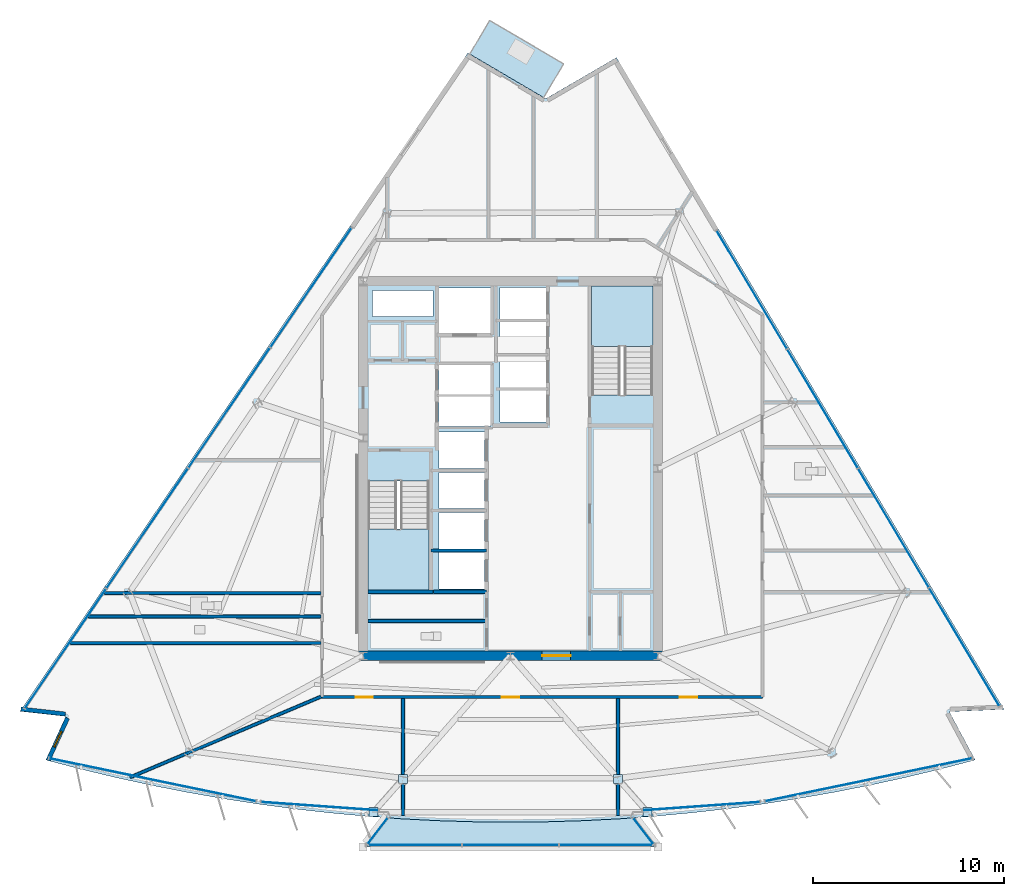
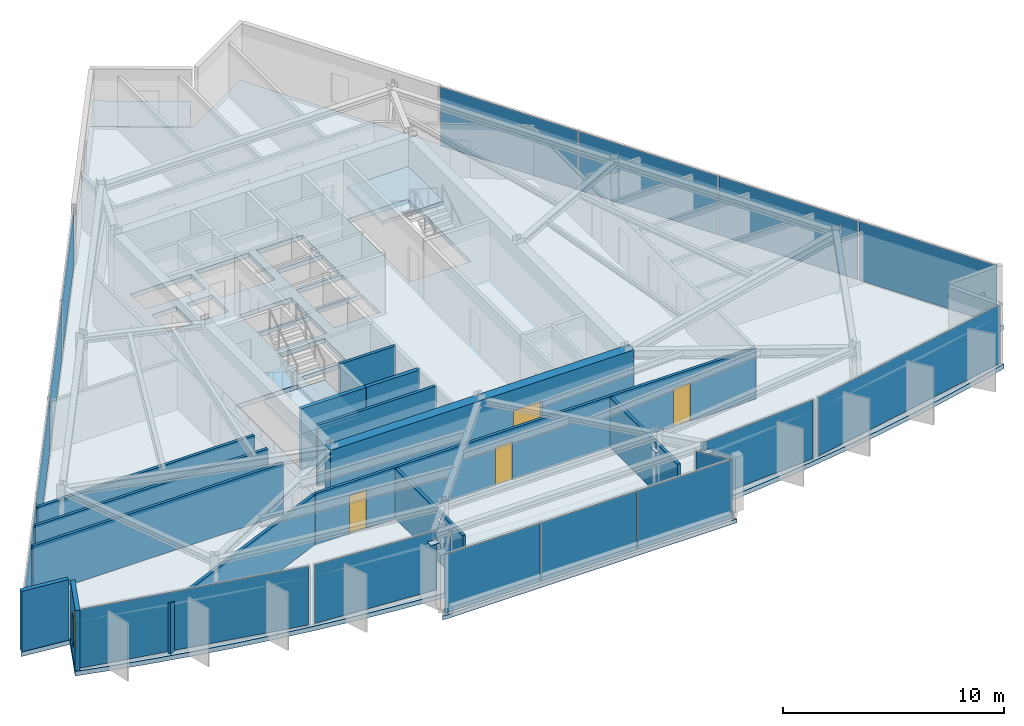
# One storey, part 7 of 14: 21 plates, 14 walls, 5 slabs, 4 doors, 1 window, 5 openings, 11 elements without a shape of their own.
"""IFC4 building model written with IfcOpenShell, lengths in metres."""

from ifc_helpers import new_model, si_unit, direction, frame, frame_2d, origin, origin_2d, place, context, subcontext, project, spatial, polyline, rectangle, outline, extrude, material, layer, layer_set, type_object, element, fill, aggregate, save


model = new_model("IFC4")

# Units and contexts
model_context = context("Model", 3, precision=1e-05, world=origin(), true_north=direction((0.0, 1.0)))
body_context = subcontext(model_context, "Body", "Model", "MODEL_VIEW")
ifc_project = project(units=[si_unit("LENGTHUNIT", "METRE"), si_unit("AREAUNIT", "SQUARE_METRE"), si_unit("VOLUMEUNIT", "CUBIC_METRE"), si_unit("PLANEANGLEUNIT", "RADIAN"), si_unit("MASSUNIT", "GRAM", prefix="KILO")], contexts=[model_context])

# Site, building, storey
site_placement = place(None, origin())
site = spatial("IfcSite", under=ifc_project, at=site_placement, CompositionType="ELEMENT")
building_placement = place(site_placement, origin())
building = spatial("IfcBuilding", under=site, at=building_placement, Name="Savorim Split Tower", CompositionType="ELEMENT")
storey_placement = place(building_placement, frame((0.0, 0.0, 205.5)))
storey = spatial("IfcBuildingStorey", under=building, at=storey_placement, Name="L54", CompositionType="ELEMENT", Elevation=205.5)

# Curtain wall, plate
ifc_material_1 = material(Name="Dark Ceramic-Fritted Insulated Glass", Category="glass")
curtain_wall_type_1 = type_object("IfcCurtainWallType", Name="CW-TWR-FRIT-B", PredefinedType="NOTDEFINED", material=ifc_material_1)
curtain_wall_1_placement = place(storey_placement, origin())
curtain_wall_1 = element("IfcCurtainWall", 1, at=curtain_wall_1_placement, inside=storey, type_object=curtain_wall_type_1, Name="L54 Curtain Wall CW-L54-SF1A", PredefinedType="NOTDEFINED")
ifc_layer_1 = layer(ifc_material_1, 0.02587890625)
ifc_layer_set_1 = layer_set([ifc_layer_1], Name="CWP-FRITB-26")
plate_type_1 = type_object("IfcPlateType", Name="CWP-FRITB-26", PredefinedType="CURTAIN_PANEL", material=ifc_layer_set_1)
plate_1_placement = place(storey_placement, frame((-18.731201171875, -15.885009765625, 0.050048828125), z_axis=(0.0, 0.0, 1.0), x_axis=(0.979135083641, -0.203210452448, 0.0)))
plate_1 = element("IfcPlate", 2, at=plate_1_placement, type_object=plate_type_1, Name="CW-03 panel 1.1", PredefinedType="CURTAIN_PANEL", context=body_context, shape_type="SweptSolid", body=[
    extrude(rectangle(XDim=11.026611328125, YDim=0.02587890625, at=origin_2d()), origin(), (0.0, 0.0, 1.0), 3.25),
])
aggregate(curtain_wall_1, [plate_1])

curtain_wall_2_placement = place(storey_placement, origin())
curtain_wall_2 = element("IfcCurtainWall", 3, at=curtain_wall_2_placement, inside=storey, type_object=curtain_wall_type_1, Name="L54 Curtain Wall CW-L54-SF2A", PredefinedType="NOTDEFINED")
plate_2_placement = place(storey_placement, frame((-9.98095703125, -17.26611328125, 0.050048828125), z_axis=(0.0, 0.0, 1.0), x_axis=(0.99743684751, -0.071552325109, 0.0)))
plate_2 = element("IfcPlate", 4, at=plate_2_placement, type_object=plate_type_1, Name="CW-03 panel 1.1", PredefinedType="CURTAIN_PANEL", context=body_context, shape_type="SweptSolid", body=[
    extrude(rectangle(XDim=6.118896484375, YDim=0.02587890625, at=origin_2d()), origin(), (0.0, 0.0, 1.0), 3.25),
])
aggregate(curtain_wall_2, [plate_2])

curtain_wall_3_placement = place(storey_placement, origin())
curtain_wall_3 = element("IfcCurtainWall", 5, at=curtain_wall_3_placement, inside=storey, type_object=curtain_wall_type_1, Name="L54 Curtain Wall CW-L54-SF3A", PredefinedType="NOTDEFINED")
plate_3_placement = place(storey_placement, frame((9.98095703125, -17.26611328125, 0.050048828125), z_axis=(0.0, 0.0, 1.0), x_axis=(0.99743684751, 0.071552325109, 0.0)))
plate_3 = element("IfcPlate", 6, at=plate_3_placement, type_object=plate_type_1, Name="CW-03 panel 1.1", PredefinedType="CURTAIN_PANEL", context=body_context, shape_type="SweptSolid", body=[
    extrude(rectangle(XDim=6.118896484375, YDim=0.02587890625, at=origin_2d()), origin(), (0.0, 0.0, 1.0), 3.25),
])
aggregate(curtain_wall_3, [plate_3])

curtain_wall_4_placement = place(storey_placement, origin())
curtain_wall_4 = element("IfcCurtainWall", 7, at=curtain_wall_4_placement, inside=storey, type_object=curtain_wall_type_1, Name="L54 Curtain Wall CW-L54-SF4A", PredefinedType="NOTDEFINED")
plate_4_placement = place(storey_placement, frame((18.731201171875, -15.885009765625, 0.050048828125), z_axis=(0.0, 0.0, 1.0), x_axis=(0.979135083641, 0.203210452448, 0.0)))
plate_4 = element("IfcPlate", 8, at=plate_4_placement, type_object=plate_type_1, Name="CW-03 panel 1.1", PredefinedType="CURTAIN_PANEL", context=body_context, shape_type="SweptSolid", body=[
    extrude(rectangle(XDim=11.026611328125, YDim=0.02587890625, at=origin_2d()), origin(), (0.0, 0.0, 1.0), 3.25),
])
aggregate(curtain_wall_4, [plate_4])

# Curtain wall, plates
curtain_wall_5_placement = place(storey_placement, origin())
curtain_wall_5 = element("IfcCurtainWall", 9, at=curtain_wall_5_placement, inside=storey, type_object=curtain_wall_type_1, Name="L54 Curtain Wall CW-L54-EAST", PredefinedType="NOTDEFINED")
plate_5_placement = place(storey_placement, frame((23.739013671875, -8.941162109375, 0.050048828125), z_axis=(0.0, 0.0, 1.0), x_axis=(-0.511092175308, 0.859525909056, 0.0)))
plate_5 = element("IfcPlate", 10, at=plate_5_placement, type_object=plate_type_1, Name="CW-03 panel 1.1", PredefinedType="CURTAIN_PANEL", context=body_context, shape_type="SweptSolid", body=[
    extrude(rectangle(XDim=7.167724609375, YDim=0.02587890625, at=origin_2d()), origin(), (0.0, 0.0, 1.0), 3.25),
])
plate_6_placement = place(storey_placement, frame((20.037353515625, -2.7158203125, 0.050048828125), z_axis=(0.0, 0.0, 1.0), x_axis=(-0.511092175308, 0.859525909056, 0.0)))
plate_6 = element("IfcPlate", 11, at=plate_6_placement, type_object=plate_type_1, Name="CW-03 panel 2.1", PredefinedType="CURTAIN_PANEL", context=body_context, shape_type="SweptSolid", body=[
    extrude(rectangle(XDim=7.19775390625, YDim=0.02587890625, at=origin_2d()), origin(), (0.0, 0.0, 1.0), 3.25),
])
plate_7_placement = place(storey_placement, frame((16.328125, 3.522216796875, 0.050048828125), z_axis=(0.0, 0.0, 1.0), x_axis=(-0.511092175308, 0.859525909056, 0.0)))
plate_7 = element("IfcPlate", 12, at=plate_7_placement, type_object=plate_type_1, Name="CW-03 panel 3.1", PredefinedType="CURTAIN_PANEL", context=body_context, shape_type="SweptSolid", body=[
    extrude(rectangle(XDim=7.19775390625, YDim=0.02587890625, at=origin_2d()), origin(), (0.0, 0.0, 1.0), 3.25),
])
plate_8_placement = place(storey_placement, frame((12.626220703125, 9.74755859375, 0.050048828125), z_axis=(0.0, 0.0, 1.0), x_axis=(-0.511092175308, 0.859525909056, 0.0)))
plate_8 = element("IfcPlate", 13, at=plate_8_placement, type_object=plate_type_1, Name="CW-03 panel 4.1", PredefinedType="CURTAIN_PANEL", context=body_context, shape_type="SweptSolid", body=[
    extrude(rectangle(XDim=7.167724609375, YDim=0.02587890625, at=origin_2d()), origin(), (0.0, 0.0, 1.0), 3.25),
])
aggregate(curtain_wall_5, [plate_5, plate_6, plate_7, plate_8])

curtain_wall_6_placement = place(storey_placement, origin())
curtain_wall_6 = element("IfcCurtainWall", 14, at=curtain_wall_6_placement, inside=storey, type_object=curtain_wall_type_1, Name="L54 Curtain Wall CW-L54-WEST", PredefinedType="NOTDEFINED")
plate_9_placement = place(storey_placement, frame((-10.436279296875, 9.86181640625, 0.050048828125), z_axis=(0.0, 0.0, 1.0), x_axis=(-0.562465276773, -0.826820907104, 0.0)))
plate_9 = element("IfcPlate", 15, at=plate_9_placement, type_object=plate_type_1, Name="CW-03 panel 1.1", PredefinedType="CURTAIN_PANEL", context=body_context, shape_type="SweptSolid", body=[
    extrude(rectangle(XDim=7.533447265625, YDim=0.02587890625, at=origin_2d()), origin(), (0.0, 0.0, 1.0), 3.25),
])
plate_10_placement = place(storey_placement, frame((-14.7158203125, 3.571044921875, 0.050048828125), z_axis=(0.0, 0.0, 1.0), x_axis=(-0.562465276773, -0.826820907104, 0.0)))
plate_10 = element("IfcPlate", 16, at=plate_10_placement, type_object=plate_type_1, Name="CW-03 panel 2.1", PredefinedType="CURTAIN_PANEL", context=body_context, shape_type="SweptSolid", body=[
    extrude(rectangle(XDim=7.5634765625, YDim=0.02587890625, at=origin_2d()), origin(), (0.0, 0.0, 1.0), 3.25),
])
plate_11_placement = place(storey_placement, frame((-19.003662109375, -2.732421875, 0.050048828125), z_axis=(0.0, 0.0, 1.0), x_axis=(-0.562465276773, -0.826820907104, 0.0)))
plate_11 = element("IfcPlate", 17, at=plate_11_placement, type_object=plate_type_1, Name="CW-03 panel 3.1", PredefinedType="CURTAIN_PANEL", context=body_context, shape_type="SweptSolid", body=[
    extrude(rectangle(XDim=7.5634765625, YDim=0.02587890625, at=origin_2d()), origin(), (0.0, 0.0, 1.0), 3.25),
])
plate_12_placement = place(storey_placement, frame((-23.283203125, -9.023193359375, 0.050048828125), z_axis=(0.0, 0.0, 1.0), x_axis=(-0.562465276773, -0.826820907104, 0.0)))
plate_12 = element("IfcPlate", 18, at=plate_12_placement, type_object=plate_type_1, Name="CW-03 panel 4.1", PredefinedType="CURTAIN_PANEL", context=body_context, shape_type="SweptSolid", body=[
    extrude(rectangle(XDim=7.533447265625, YDim=0.02587890625, at=origin_2d()), origin(), (0.0, 0.0, 1.0), 3.25),
])
aggregate(curtain_wall_6, [plate_9, plate_10, plate_11, plate_12])

curtain_wall_type_2 = type_object("IfcCurtainWallType", Name="CW-BAY-LOUNGE", PredefinedType="NOTDEFINED", material=ifc_material_1)
curtain_wall_7_placement = place(storey_placement, origin())
curtain_wall_7 = element("IfcCurtainWall", 19, at=curtain_wall_7_placement, inside=storey, type_object=curtain_wall_type_2, Name="L54 Curtain Wall CW-L54-BAYF", PredefinedType="NOTDEFINED")
ifc_material_2 = material(Name="Low-E Operable Double Glazing", Category="glass")
ifc_layer_2 = layer(ifc_material_2, 0.031982421875)
ifc_layer_set_2 = layer_set([ifc_layer_2], Name="CWP-POD-32")
plate_type_2 = type_object("IfcPlateType", Name="CWP-POD-32", PredefinedType="CURTAIN_PANEL", material=ifc_layer_set_2)
plate_13_placement = place(storey_placement, frame((-5.047119140625, -19.296142578125, 0.05517578125), z_axis=(0.0, 0.0, 1.0), x_axis=(1.0, 0.0, 0.0)))
plate_13 = element("IfcPlate", 20, at=plate_13_placement, type_object=plate_type_2, Name="CW-04 panel 1.1", PredefinedType="CURTAIN_PANEL", context=body_context, shape_type="SweptSolid", body=[
    extrude(rectangle(XDim=4.9658203125, YDim=0.031982421875, at=origin_2d()), origin(), (0.0, 0.0, 1.0), 3.239990234375),
])
plate_14_placement = place(storey_placement, frame((0.0, -19.296142578125, 0.05517578125), z_axis=(0.0, 0.0, 1.0), x_axis=(1.0, 0.0, 0.0)))
plate_14 = element("IfcPlate", 21, at=plate_14_placement, type_object=plate_type_2, Name="CW-04 panel 2.1", PredefinedType="CURTAIN_PANEL", context=body_context, shape_type="SweptSolid", body=[
    extrude(rectangle(XDim=4.998291015625, YDim=0.031982421875, at=origin_2d()), origin(), (0.0, 0.0, 1.0), 3.239990234375),
])
plate_15_placement = place(storey_placement, frame((5.047119140625, -19.296142578125, 0.05517578125), z_axis=(0.0, 0.0, 1.0), x_axis=(1.0, 0.0, 0.0)))
plate_15 = element("IfcPlate", 22, at=plate_15_placement, type_object=plate_type_2, Name="CW-04 panel 3.1", PredefinedType="CURTAIN_PANEL", context=body_context, shape_type="SweptSolid", body=[
    extrude(rectangle(XDim=4.9658203125, YDim=0.031982421875, at=origin_2d()), origin(), (0.0, 0.0, 1.0), 3.239990234375),
])
aggregate(curtain_wall_7, [plate_13, plate_14, plate_15])

# Curtain wall, plate
curtain_wall_8_placement = place(storey_placement, origin())
curtain_wall_8 = element("IfcCurtainWall", 23, at=curtain_wall_8_placement, inside=storey, type_object=curtain_wall_type_2, Name="L54 Curtain Wall CW-L54-BAYW", PredefinedType="NOTDEFINED")
plate_16_placement = place(storey_placement, frame((-6.949951171875, -18.568603515625, 0.05517578125), z_axis=(0.0, 0.0, 1.0), x_axis=(-0.610982078738, -0.791644427418, 0.0)))
plate_16 = element("IfcPlate", 24, at=plate_16_placement, type_object=plate_type_2, Name="CW-04 panel 1.1", PredefinedType="CURTAIN_PANEL", context=body_context, shape_type="SweptSolid", body=[
    extrude(rectangle(XDim=1.704833984375, YDim=0.031982421875, at=origin_2d()), origin(), (0.0, 0.0, 1.0), 3.239990234375),
])
aggregate(curtain_wall_8, [plate_16])

curtain_wall_9_placement = place(storey_placement, origin())
curtain_wall_9 = element("IfcCurtainWall", 25, at=curtain_wall_9_placement, inside=storey, type_object=curtain_wall_type_2, Name="L54 Curtain Wall CW-L54-BAYE", PredefinedType="NOTDEFINED")
plate_17_placement = place(storey_placement, frame((6.949951171875, -18.568603515625, 0.05517578125), z_axis=(0.0, 0.0, 1.0), x_axis=(-0.610982078738, 0.791644427418, 0.0)))
plate_17 = element("IfcPlate", 26, at=plate_17_placement, type_object=plate_type_2, Name="CW-04 panel 1.1", PredefinedType="CURTAIN_PANEL", context=body_context, shape_type="SweptSolid", body=[
    extrude(rectangle(XDim=1.704833984375, YDim=0.031982421875, at=origin_2d()), origin(), (0.0, 0.0, 1.0), 3.239990234375),
])
aggregate(curtain_wall_9, [plate_17])

# Plates
ifc_material_3 = material(Name="Steel S460", Category="steel")
ifc_layer_3 = layer(ifc_material_3, 0.02490234375)
ifc_layer_set_3 = layer_set([ifc_layer_3], Name="PLT-NODE-CN1")
plate_type_3 = type_object("IfcPlateType", Name="PLT-NODE-CN1", PredefinedType="SHEET", material=ifc_layer_set_3)
for number, where, z_axis, x_axis, name in (
    (27, (-5.620361328125, -15.84912109375, 2.4375), (0.0, 0.0, 1.0), (1.0, 0.0, 0.0), "L54 Bay Strut Column Gusset Plate 1"),
    (28, (-7.160888671875, -17.576416015625, 2.8076171875), (0.0, 0.0, 1.0), (1.0, 0.0, 0.0), "L54 Bay Strut Tip Gusset Plate 1"),
    (29, (5.620361328125, -15.84912109375, 2.4375), (0.0, 0.0, 1.0), (1.0, 0.0, 0.0), "L54 Bay Strut Column Gusset Plate 2"),
    (30, (7.160888671875, -17.576416015625, 2.8076171875), (0.0, 0.0, 1.0), (1.0, 0.0, 0.0), "L54 Bay Strut Tip Gusset Plate 2"),
):
    element("IfcPlate", number, at=place(storey_placement, frame(where, z_axis=z_axis, x_axis=x_axis)), inside=storey, type_object=plate_type_3, Name=name, PredefinedType="SHEET", context=body_context, shape_type="SweptSolid", body=[
        extrude(rectangle(XDim=0.4599609375, YDim=0.4599609375, at=origin_2d()), origin(), (0.0, 0.0, 1.0), 0.02490234375),
    ])

# Slabs
ifc_material_4 = material(Name="Concrete C50/60", Category="concrete")
ifc_layer_4 = layer(ifc_material_4, 0.219970703125)
ifc_layer_set_4 = layer_set([ifc_layer_4], Name="SLB-BAL-220")
slab_type_1 = type_object("IfcSlabType", Name="SLB-BAL-220", PredefinedType="FLOOR", material=ifc_layer_set_4)
slab_1_placement = place(storey_placement, frame((0.0, 0.0, -0.219970703125)))
element("IfcSlab", 31, at=slab_1_placement, inside=storey, type_object=slab_type_1, Name="L54 Cantilevered Shared Kitchen Lounge Slab", PredefinedType="FLOOR", context=body_context, shape_type="SweptSolid", body=[
    extrude(outline(polyline([(6.5341796875, -17.866455078125), (5.673095703125, -17.92822265625), (3.783447265625, -18.02490234375), (1.89208984375, -18.0830078125), (0.0, -18.102294921875), (-1.89208984375, -18.0830078125), (-3.783447265625, -18.02490234375), (-5.673095703125, -17.92822265625), (-6.5341796875, -17.866455078125), (-7.715087890625, -19.396240234375), (7.715087890625, -19.396240234375), (6.5341796875, -17.866455078125)])), origin(), (0.0, 0.0, 1.0), 0.219970703125),
])
slab_2_placement = place(storey_placement, frame((0.0, 0.0, -0.219970703125)))
element("IfcSlab", 32, at=slab_2_placement, inside=storey, type_object=slab_type_1, Name="L54 Notched Corner Planted Tree Balcony Slab", PredefinedType="FLOOR", context=body_context, shape_type="SweptSolid", body=[
    extrude(outline(polyline([(-2.126953125, 22.077392578125), (1.739501953125, 19.80517578125), (2.775634765625, 21.568115234375), (-1.0908203125, 23.840576171875), (-2.126953125, 22.077392578125)])), origin(), (0.0, 0.0, 1.0), 0.219970703125),
])

# Stair, slab
stair_type = type_object("IfcStairType", Name="STR-DOG-3600", PredefinedType="HALF_TURN_STAIR", material=ifc_material_4)
stair_1_placement = place(storey_placement, origin())
stair_1 = element("IfcStair", 33, at=stair_1_placement, inside=storey, type_object=stair_type, Name="L54 Core Protected Exit Stair ST-1", PredefinedType="HALF_TURN_STAIR")
ifc_layer_5 = layer(ifc_material_4, 0.199951171875)
ifc_layer_set_5 = layer_set([ifc_layer_5], Name="SLB-LND-200")
slab_type_2 = type_object("IfcSlabType", Name="SLB-LND-200", PredefinedType="LANDING", material=ifc_layer_set_5)
slab_3_placement = place(storey_placement, frame((0.0, 0.0, 1.60009765625)))
slab_3 = element("IfcSlab", 34, at=slab_3_placement, type_object=slab_type_2, Name="ST-1 landing 1", PredefinedType="LANDING", context=body_context, shape_type="SweptSolid", body=[
    extrude(outline(polyline([(-7.449951171875, -2.77001953125), (-7.449951171875, -5.949951171875), (-4.25, -5.949951171875), (-4.25, -2.77001953125), (-7.449951171875, -2.77001953125)])), origin(), (0.0, 0.0, 1.0), 0.199951171875),
])
aggregate(stair_1, [slab_3])

stair_2_placement = place(storey_placement, origin())
stair_2 = element("IfcStair", 35, at=stair_2_placement, inside=storey, type_object=stair_type, Name="L54 Core Protected Exit Stair ST-2", PredefinedType="HALF_TURN_STAIR")
slab_4_placement = place(storey_placement, frame((0.0, 0.0, 1.60009765625)))
slab_4 = element("IfcSlab", 36, at=slab_4_placement, type_object=slab_type_2, Name="ST-2 landing 1", PredefinedType="LANDING", context=body_context, shape_type="SweptSolid", body=[
    extrude(outline(polyline([(7.449951171875, 6.77001953125), (7.449951171875, 9.949951171875), (4.25, 9.949951171875), (4.25, 6.77001953125), (7.449951171875, 6.77001953125)])), origin(), (0.0, 0.0, 1.0), 0.199951171875),
])
aggregate(stair_2, [slab_4])

# Slab
ifc_layer_6 = layer(ifc_material_4, 0.25)
ifc_layer_set_6 = layer_set([ifc_layer_6], Name="SLB-TWR-250")
slab_type_3 = type_object("IfcSlabType", Name="SLB-TWR-250", PredefinedType="FLOOR", material=ifc_layer_set_6)
slab_5_placement = place(storey_placement, frame((0.0, 0.0, -0.25)))
element("IfcSlab", 37, at=slab_5_placement, inside=storey, type_object=slab_type_3, Name="L54 Structural Floor Slab", PredefinedType="FLOOR", context=body_context, shape_type="SweptSolid", body=[
    extrude(outline(polyline([(-24.310302734375, -14.849609375), (-22.479736328125, -15.328369140625), (-20.6396484375, -15.76953125), (-18.791015625, -16.173095703125), (-16.934326171875, -16.53857421875), (-15.070556640625, -16.865966796875), (-13.20068359375, -17.1552734375), (-11.3251953125, -17.40625), (-9.44482421875, -17.618896484375), (-7.560546875, -17.792724609375), (-5.673095703125, -17.92822265625), (-3.783447265625, -18.02490234375), (-1.89208984375, -18.0830078125), (0.0, -18.102294921875), (1.89208984375, -18.0830078125), (3.783447265625, -18.02490234375), (5.673095703125, -17.92822265625), (7.560546875, -17.792724609375), (9.44482421875, -17.618896484375), (11.3251953125, -17.40625), (13.20068359375, -17.1552734375), (15.070556640625, -16.865966796875), (16.934326171875, -16.53857421875), (18.791015625, -16.173095703125), (20.6396484375, -15.76953125), (22.479736328125, -15.328369140625), (24.310302734375, -14.849609375), (22.95458984375, -12.32275390625), (25.81689453125, -12.200927734375), (5.54150390625, 21.897216796875), (1.84033203125, 19.739990234375), (-2.23291015625, 22.134033203125), (-25.65869140625, -12.3017578125), (-23.2626953125, -12.569091796875), (-24.310302734375, -14.849609375)]), holes=[polyline([(-7.449951171875, -0.25390625), (-7.449951171875, -5.949951171875), (-4.25, -5.949951171875), (-4.25, -0.25390625), (-7.449951171875, -0.25390625)]), polyline([(7.449951171875, 4.25390625), (7.449951171875, 9.949951171875), (4.25, 9.949951171875), (4.25, 4.25390625), (7.449951171875, 4.25390625)]), polyline([(-3.75, -5.89990234375), (-1.35009765625, -5.89990234375), (-1.35009765625, -4.0), (-3.75, -4.0), (-3.75, -5.89990234375)]), polyline([(-3.75, -3.800048828125), (-1.35009765625, -3.800048828125), (-1.35009765625, -1.89990234375), (-3.75, -1.89990234375), (-3.75, -3.800048828125)]), polyline([(-3.75, -1.699951171875), (-1.35009765625, -1.699951171875), (-1.35009765625, 0.199951171875), (-3.75, 0.199951171875), (-3.75, -1.699951171875)]), polyline([(-3.75, 0.39990234375), (-1.35009765625, 0.39990234375), (-1.35009765625, 2.300048828125), (-3.75, 2.300048828125), (-3.75, 0.39990234375)]), polyline([(-0.550048828125, 2.830078125), (1.85009765625, 2.830078125), (1.85009765625, 4.469970703125), (-0.550048828125, 4.469970703125), (-0.550048828125, 2.830078125)]), polyline([(-0.550048828125, 4.6298828125), (1.85009765625, 4.6298828125), (1.85009765625, 6.27001953125), (-0.550048828125, 6.27001953125), (-0.550048828125, 4.6298828125)]), polyline([(-0.550048828125, 6.429931640625), (1.85009765625, 6.429931640625), (1.85009765625, 8.070068359375), (-0.550048828125, 8.070068359375), (-0.550048828125, 6.429931640625)]), polyline([(-0.550048828125, 8.22998046875), (1.85009765625, 8.22998046875), (1.85009765625, 9.8701171875), (-0.550048828125, 9.8701171875), (-0.550048828125, 8.22998046875)]), polyline([(-3.75, 2.60009765625), (-1.050048828125, 2.60009765625), (-1.050048828125, 4.159912109375), (-3.75, 4.159912109375), (-3.75, 2.60009765625)]), polyline([(-3.75, 4.280029296875), (-1.050048828125, 4.280029296875), (-1.050048828125, 5.840087890625), (-3.75, 5.840087890625), (-3.75, 4.280029296875)]), polyline([(-3.75, 7.449951171875), (-0.949951171875, 7.449951171875), (-0.949951171875, 9.85009765625), (-3.75, 9.85009765625), (-3.75, 7.449951171875)]), polyline([(-7.219970703125, 6.320068359375), (-5.919921875, 6.320068359375), (-5.919921875, 7.820068359375), (-7.219970703125, 7.820068359375), (-7.219970703125, 6.320068359375)]), polyline([(-5.3798828125, 6.320068359375), (-4.050048828125, 6.320068359375), (-4.050048828125, 7.820068359375), (-5.3798828125, 7.820068359375), (-5.3798828125, 6.320068359375)]), polyline([(-7.219970703125, 8.360107421875), (-4.050048828125, 8.360107421875), (-4.050048828125, 9.719970703125), (-7.219970703125, 9.719970703125), (-7.219970703125, 8.360107421875)])]), origin(), (0.0, 0.0, 1.0), 0.25),
])

# Wall, opening, door
ifc_material_5 = material(Name="Concrete C60/75", Category="concrete")
ifc_layer_7 = layer(ifc_material_5, 0.5)
ifc_layer_set_7 = layer_set([ifc_layer_7], Name="WAL-COR-SH500")
wall_type_1 = type_object("IfcWallType", Name="WAL-COR-SH500", PredefinedType="SHEAR", material=ifc_layer_set_7)
wall_1_placement = place(storey_placement, frame((-7.949951171875, -9.39990234375, 0.0), z_axis=(0.0, 0.0, 1.0), x_axis=(1.0, 0.0, 0.0)))
wall_1 = element("IfcWall", 38, at=wall_1_placement, inside=storey, type_object=wall_type_1, Name="L54 Offset Core South Shear Wall", PredefinedType="SHEAR", context=body_context, shape_type="SweptSolid", body=[
    extrude(rectangle(XDim=15.89990234375, YDim=0.5, at=frame_2d((7.949951171875, 0.0))), origin(), (0.0, 0.0, 1.0), 3.35009765625),
])
opening_1_placement = place(wall_1_placement, frame((9.60009765625, 0.0, 0.0)))
opening_1 = element("IfcOpeningElement", 39, at=opening_1_placement, cuts=wall_1, Name="Opening DI-02", PredefinedType="OPENING", context=body_context, shape_type="SweptSolid", body=[
    extrude(rectangle(XDim=1.5, YDim=2.199951171875, at=frame_2d((0.75, 1.10009765625))), frame((0.0, 0.260009765625, 0.0), z_axis=(0.0, -1.0, 0.0), x_axis=(1.0, 0.0, 0.0)), (0.0, 0.0, 1.0), 0.52001953125),
])
ifc_material_6 = material(Name="Timber Fire Door Leaf", Category="wood")
door_type_1 = type_object("IfcDoorType", Name="DOR-DBL-1500", OperationType="NOTDEFINED", PredefinedType="DOOR", material=ifc_material_6)
door_1_placement = place(opening_1_placement, origin())
door_1 = element("IfcDoor", 40, at=door_1_placement, inside=storey, type_object=door_type_1, Name="DOR-L54-COR-LLOB - L54 Lift Lobby Main Rated Door", OperationType="DOUBLE_DOOR_SINGLE_SWING", OverallHeight=2.199951171875, OverallWidth=1.5, PredefinedType="DOOR", context=body_context, shape_type="SweptSolid", body=[
    extrude(rectangle(XDim=1.5, YDim=2.199951171875, at=frame_2d((0.75, 1.10009765625))), frame((0.0, 0.02490234375, 0.0), z_axis=(0.0, -1.0, 0.0), x_axis=(1.0, 0.0, 0.0)), (0.0, 0.0, 1.0), 0.050048828125),
])
fill(opening_1, door_1)

# Wall
ifc_material_7 = material(Name="Precast concrete C40/50", Category="concrete")
ifc_layer_8 = layer(ifc_material_7, 0.219970703125)
ifc_layer_set_8 = layer_set([ifc_layer_8], Name="WAL-EXT-CRN220")
wall_type_2 = type_object("IfcWallType", Name="WAL-EXT-CRN220", PredefinedType="SOLIDWALL", material=ifc_layer_set_8)
wall_2_placement = place(storey_placement, frame((-23.2890625, -12.445556640625, 0.0), z_axis=(0.0, 0.0, 1.0), x_axis=(-0.993829972675, 0.110914315635, 0.0)))
element("IfcWall", 41, at=wall_2_placement, inside=storey, type_object=wall_type_2, Name="L54 Notched Corner Facade Wall SW1", PredefinedType="SOLIDWALL", context=body_context, shape_type="SweptSolid", body=[
    extrude(rectangle(XDim=2.3310546875, YDim=0.219970703125, at=frame_2d((1.16552734375, 0.0))), origin(), (0.0, 0.0, 1.0), 3.35009765625),
])

# Wall, opening, window
wall_3_placement = place(storey_placement, frame((-24.184814453125, -14.86328125, 0.0), z_axis=(0.0, 0.0, 1.0), x_axis=(0.417509141111, 0.90867272276, 0.0)))
wall_3 = element("IfcWall", 42, at=wall_3_placement, inside=storey, type_object=wall_type_2, Name="L54 Notched Corner Facade Wall SW", PredefinedType="SOLIDWALL", context=body_context, shape_type="SweptSolid", body=[
    extrude(rectangle(XDim=2.4296875, YDim=0.219970703125, at=frame_2d((1.21484375, 0.0))), origin(), (0.0, 0.0, 1.0), 3.35009765625),
])
opening_2_placement = place(wall_3_placement, frame((0.764892578125, 0.0, 0.6201171875)))
opening_2 = element("IfcOpeningElement", 43, at=opening_2_placement, cuts=wall_3, Name="Opening WN-10", PredefinedType="OPENING", context=body_context, shape_type="SweptSolid", body=[
    extrude(rectangle(XDim=0.89990234375, YDim=1.60009765625, at=frame_2d((0.449951171875, 0.800048828125))), frame((0.0, 0.119873046875, 0.0), z_axis=(0.0, -1.0, 0.0), x_axis=(1.0, 0.0, 0.0)), (0.0, 0.0, 1.0), 0.239990234375),
])
window_type = type_object("IfcWindowType", Name="WIN-TWR-900x1600", PartitioningType="SINGLE_PANEL", PredefinedType="WINDOW", material=ifc_material_2)
window_placement = place(opening_2_placement, origin())
window = element("IfcWindow", 44, at=window_placement, inside=storey, type_object=window_type, Name="L54 Operable Corner Window SW", OverallHeight=1.60009765625, OverallWidth=0.89990234375, PartitioningType="SINGLE_PANEL", PredefinedType="WINDOW", context=body_context, shape_type="SweptSolid", body=[
    extrude(rectangle(XDim=0.89990234375, YDim=1.60009765625, at=frame_2d((0.449951171875, 0.800048828125))), frame((0.0, 0.030029296875, 0.0), z_axis=(0.0, -1.0, 0.0), x_axis=(1.0, 0.0, 0.0)), (0.0, 0.0, 1.0), 0.06005859375),
])
fill(opening_2, window)

# Walls
ifc_layer_9 = layer(ifc_material_4, 0.199951171875)
ifc_layer_set_9 = layer_set([ifc_layer_9], Name="WAL-INT-RC200")
wall_type_3 = type_object("IfcWallType", Name="WAL-INT-RC200", PredefinedType="SOLIDWALL", material=ifc_layer_set_9)
wall_4_placement = place(storey_placement, frame((-7.449951171875, -6.050048828125, 0.0), z_axis=(0.0, 0.0, 1.0), x_axis=(1.0, 0.0, 0.0)))
element("IfcWall", 45, at=wall_4_placement, inside=storey, type_object=wall_type_3, Name="L54 Structural Shaft Wall W-L54-KSEP-W", PredefinedType="SOLIDWALL", context=body_context, shape_type="SweptSolid", body=[
    extrude(rectangle(XDim=3.39990234375, YDim=0.199951171875, at=frame_2d((1.699951171875, 0.0))), origin(), (0.0, 0.0, 1.0), 3.35009765625),
])
wall_5_placement = place(storey_placement, frame((-4.0400390625, -6.050048828125, 0.0), z_axis=(0.0, 0.0, 1.0), x_axis=(1.0, 0.0, 0.0)))
element("IfcWall", 46, at=wall_5_placement, inside=storey, type_object=wall_type_3, Name="L54 Partition W-L54-KSEP-W2", PredefinedType="SOLIDWALL", context=body_context, shape_type="SweptSolid", body=[
    extrude(rectangle(XDim=2.7900390625, YDim=0.199951171875, at=frame_2d((1.39501953125, 0.0))), origin(), (0.0, 0.0, 1.0), 3.35009765625),
])
ifc_material_8 = material(Name="Acoustic Gypsum Partition Board")
ifc_layer_10 = layer(ifc_material_8, 0.14990234375)
ifc_layer_set_10 = layer_set([ifc_layer_10], Name="WAL-PAR-150")
wall_type_4 = type_object("IfcWallType", Name="WAL-PAR-150", PredefinedType="PARTITIONING", material=ifc_layer_set_10)
wall_6_placement = place(storey_placement, frame((-4.14990234375, -3.89990234375, 0.0), z_axis=(0.0, 0.0, 1.0), x_axis=(1.0, 0.0, 0.0)))
element("IfcWall", 47, at=wall_6_placement, inside=storey, type_object=wall_type_4, Name="L54 Partition W-L54-B2DIV1", PredefinedType="PARTITIONING", context=body_context, shape_type="SweptSolid", body=[
    extrude(rectangle(XDim=2.89990234375, YDim=0.14990234375, at=frame_2d((1.449951171875, 0.0))), origin(), (0.0, 0.0, 1.0), 3.35009765625),
])
wall_7_placement = place(storey_placement, frame((-7.445068359375, -7.580078125, 0.0), z_axis=(0.0, 0.0, 1.0), x_axis=(1.0, 0.0, 0.0)))
element("IfcWall", 48, at=wall_7_placement, inside=storey, type_object=wall_type_4, Name="L54 Partition W-L54-K2H", PredefinedType="PARTITIONING", context=body_context, shape_type="SweptSolid", body=[
    extrude(rectangle(XDim=6.195068359375, YDim=0.14990234375, at=frame_2d((3.09765625, 0.0))), origin(), (0.0, 0.0, 1.0), 3.35009765625),
])

# Wall, openings, doors
wall_8_placement = place(storey_placement, frame((13.179931640625, -11.56005859375, 0.0), z_axis=(0.0, 0.0, 1.0), x_axis=(-1.0, 0.0, 0.0)))
wall_8 = element("IfcWall", 49, at=wall_8_placement, inside=storey, type_object=wall_type_4, Name="L54 Partition W-L54-COR-06", PredefinedType="PARTITIONING", context=body_context, shape_type="SweptSolid", body=[
    extrude(rectangle(XDim=23.0400390625, YDim=0.14990234375, at=frame_2d((11.52001953125, 0.0))), origin(), (0.0, 0.0, 1.0), 2.824951171875),
])
opening_3_placement = place(wall_8_placement, frame((20.38330078125, 0.0, 0.0)))
opening_3 = element("IfcOpeningElement", 50, at=opening_3_placement, cuts=wall_8, Name="Opening DI-06", PredefinedType="OPENING", context=body_context, shape_type="SweptSolid", body=[
    extrude(rectangle(XDim=0.89990234375, YDim=2.10009765625, at=frame_2d((0.449951171875, 1.050048828125))), frame((0.0, 0.0849609375, 0.0), z_axis=(0.0, -1.0, 0.0), x_axis=(1.0, 0.0, 0.0)), (0.0, 0.0, 1.0), 0.169921875),
])
opening_4_placement = place(wall_8_placement, frame((12.72998046875, 0.0, 0.0)))
opening_4 = element("IfcOpeningElement", 51, at=opening_4_placement, cuts=wall_8, Name="Opening DI-06", PredefinedType="OPENING", context=body_context, shape_type="SweptSolid", body=[
    extrude(rectangle(XDim=0.89990234375, YDim=2.10009765625, at=frame_2d((0.449951171875, 1.050048828125))), frame((0.0, 0.0849609375, 0.0), z_axis=(0.0, -1.0, 0.0), x_axis=(1.0, 0.0, 0.0)), (0.0, 0.0, 1.0), 0.169921875),
])
opening_5_placement = place(wall_8_placement, frame((3.416748046875, 0.0, 0.0)))
opening_5 = element("IfcOpeningElement", 52, at=opening_5_placement, cuts=wall_8, Name="Opening DI-06", PredefinedType="OPENING", context=body_context, shape_type="SweptSolid", body=[
    extrude(rectangle(XDim=0.89990234375, YDim=2.10009765625, at=frame_2d((0.449951171875, 1.050048828125))), frame((0.0, 0.0849609375, 0.0), z_axis=(0.0, -1.0, 0.0), x_axis=(1.0, 0.0, 0.0)), (0.0, 0.0, 1.0), 0.169921875),
])
door_type_2 = type_object("IfcDoorType", Name="DOR-FIR-900", OperationType="NOTDEFINED", PredefinedType="DOOR", material=ifc_material_6)
door_2_placement = place(opening_3_placement, origin())
door_2 = element("IfcDoor", 53, at=door_2_placement, inside=storey, type_object=door_type_2, Name="DR-L54-RM05 - L54 Communal Lounge Entry Door", OperationType="SINGLE_SWING_RIGHT", OverallHeight=2.10009765625, OverallWidth=0.89990234375, PredefinedType="DOOR", context=body_context, shape_type="SweptSolid", body=[
    extrude(rectangle(XDim=0.89990234375, YDim=2.10009765625, at=frame_2d((0.449951171875, 1.050048828125))), frame((0.0, 0.02490234375, 0.0), z_axis=(0.0, -1.0, 0.0), x_axis=(1.0, 0.0, 0.0)), (0.0, 0.0, 1.0), 0.050048828125),
])
fill(opening_3, door_2)
door_3_placement = place(opening_4_placement, origin())
door_3 = element("IfcDoor", 54, at=door_3_placement, inside=storey, type_object=door_type_2, Name="DR-L54-RM06 - L54 Co-Working Commons Entry Door", OperationType="SINGLE_SWING_LEFT", OverallHeight=2.10009765625, OverallWidth=0.89990234375, PredefinedType="DOOR", context=body_context, shape_type="SweptSolid", body=[
    extrude(rectangle(XDim=0.89990234375, YDim=2.10009765625, at=frame_2d((0.449951171875, 1.050048828125))), frame((0.0, 0.02490234375, 0.0), z_axis=(0.0, -1.0, 0.0), x_axis=(1.0, 0.0, 0.0)), (0.0, 0.0, 1.0), 0.050048828125),
])
fill(opening_4, door_3)
door_4_placement = place(opening_5_placement, origin())
door_4 = element("IfcDoor", 55, at=door_4_placement, inside=storey, type_object=door_type_2, Name="DR-L54-RM07 - L54 Co-Working Commons Entry Door", OperationType="SINGLE_SWING_RIGHT", OverallHeight=2.10009765625, OverallWidth=0.89990234375, PredefinedType="DOOR", context=body_context, shape_type="SweptSolid", body=[
    extrude(rectangle(XDim=0.89990234375, YDim=2.10009765625, at=frame_2d((0.449951171875, 1.050048828125))), frame((0.0, 0.02490234375, 0.0), z_axis=(0.0, -1.0, 0.0), x_axis=(1.0, 0.0, 0.0)), (0.0, 0.0, 1.0), 0.050048828125),
])
fill(opening_5, door_4)

# Walls
wall_9_placement = place(storey_placement, frame((-9.9091796875, -11.533447265625, 0.0), z_axis=(0.0, 0.0, 1.0), x_axis=(-0.921088356207, -0.389353618269, 0.0)))
element("IfcWall", 56, at=wall_9_placement, inside=storey, type_object=wall_type_4, Name="L54 Partition W-L54-PRAD01", PredefinedType="PARTITIONING", context=body_context, shape_type="SweptSolid", body=[
    extrude(rectangle(XDim=10.84716796875, YDim=0.14990234375, at=frame_2d((5.423583984375, 0.0))), origin(), (0.0, 0.0, 1.0), 2.77490234375),
])
for number, where, z_axis, x_axis, name in (
    (57, (-5.625, -11.6201171875, 0.0), (0.0, 0.0, 1.0), (0.0, -1.0, 0.0), "L54 Partition W-L54-PRAD02"),
    (58, (5.625, -11.6201171875, 0.0), (0.0, 0.0, 1.0), (0.0, -1.0, 0.0), "L54 Partition W-L54-PRAD03"),
):
    element("IfcWall", number, at=place(storey_placement, frame(where, z_axis=z_axis, x_axis=x_axis)), inside=storey, type_object=wall_type_4, Name=name, PredefinedType="PARTITIONING", context=body_context, shape_type="SweptSolid", body=[
        extrude(rectangle(XDim=6.140380859375, YDim=0.14990234375, at=frame_2d((3.0703125, 0.0))), origin(), (0.0, 0.0, 1.0), 2.77490234375),
    ])
wall_10_placement = place(storey_placement, frame((-9.919921875, -6.119140625, 0.0), z_axis=(0.0, 0.0, 1.0), x_axis=(-1.0, 0.0, 0.0)))
element("IfcWall", 59, at=wall_10_placement, inside=storey, type_object=wall_type_4, Name="L54 Partition W-L54-PRAD10", PredefinedType="PARTITIONING", context=body_context, shape_type="SweptSolid", body=[
    extrude(rectangle(XDim=11.327392578125, YDim=0.14990234375, at=frame_2d((5.66357421875, 0.0))), origin(), (0.0, 0.0, 1.0), 2.77490234375),
])
wall_11_placement = place(storey_placement, frame((-9.919921875, -8.73681640625, 0.0), z_axis=(0.0, 0.0, 1.0), x_axis=(-1.0, 0.0, 0.0)))
element("IfcWall", 60, at=wall_11_placement, inside=storey, type_object=wall_type_4, Name="L54 Partition W-L54-SUB01", PredefinedType="PARTITIONING", context=body_context, shape_type="SweptSolid", body=[
    extrude(rectangle(XDim=13.108154296875, YDim=0.14990234375, at=frame_2d((6.55419921875, 0.0))), origin(), (0.0, 0.0, 1.0), 2.824951171875),
])
wall_12_placement = place(storey_placement, frame((-9.919921875, -7.34033203125, 0.0), z_axis=(0.0, 0.0, 1.0), x_axis=(-1.0, 0.0, 0.0)))
element("IfcWall", 61, at=wall_12_placement, inside=storey, type_object=wall_type_4, Name="L54 Partition W-L54-SUB04", PredefinedType="PARTITIONING", context=body_context, shape_type="SweptSolid", body=[
    extrude(rectangle(XDim=12.157958984375, YDim=0.14990234375, at=frame_2d((6.0791015625, 0.0))), origin(), (0.0, 0.0, 1.0), 2.77490234375),
])

save(model, "model.ifc")
